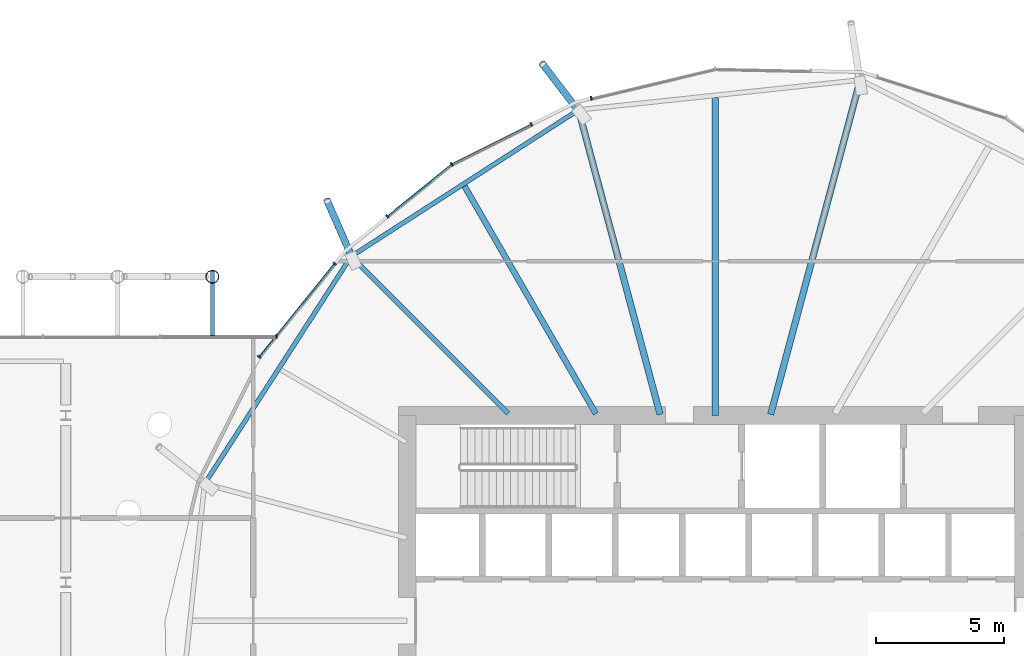
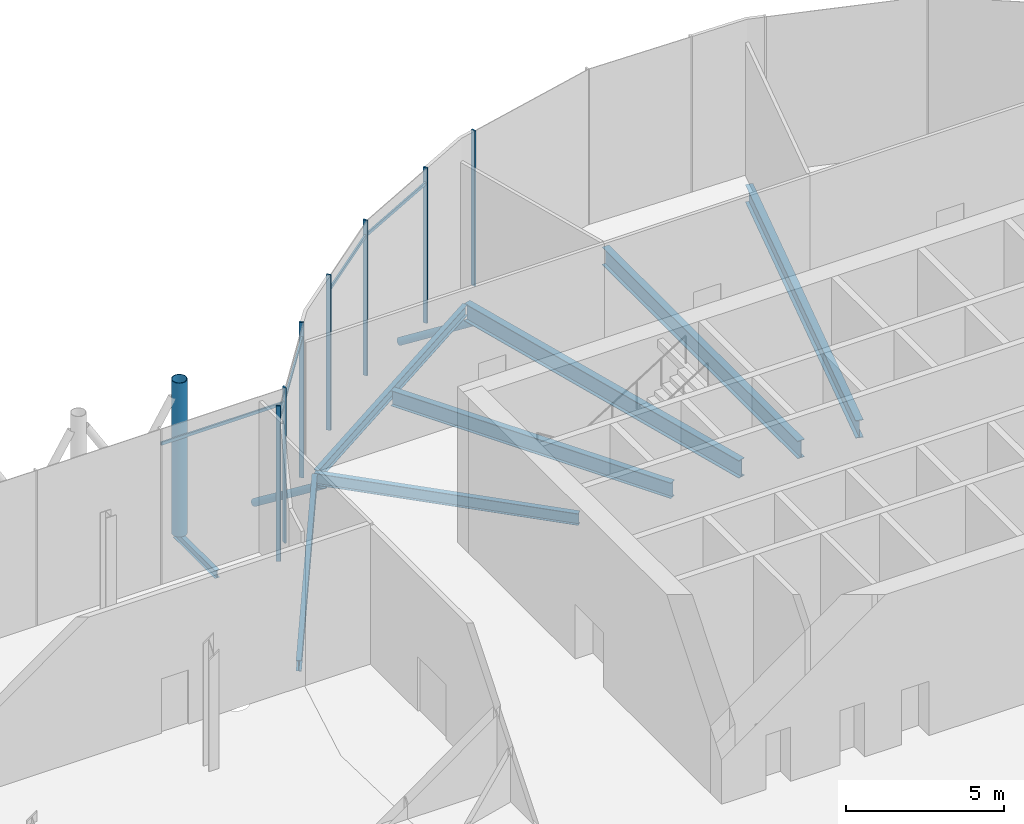
# One storey, part 14 of 38: 14 members, 8 beams, 2 elements without a shape of their own.
"""IFC4 building model written with IfcOpenShell, lengths in metres."""

from ifc_helpers import new_model, si_unit, direction, frame, origin, origin_2d, place, context, subcontext, project, spatial, rectangle, hollow_circle, i_section, extrude, clip, halfspace, material, material_profile, profile_set, type_object, element, aggregate, save


model = new_model("IFC4")

# Units and contexts
model_context = context("Model", 3, precision=1e-05, world=origin(), true_north=direction((0.0, 1.0)))
body_context = subcontext(model_context, "Body", "Model", "MODEL_VIEW")
ifc_project = project(units=[si_unit("LENGTHUNIT", "METRE"), si_unit("AREAUNIT", "SQUARE_METRE"), si_unit("VOLUMEUNIT", "CUBIC_METRE"), si_unit("PLANEANGLEUNIT", "RADIAN"), si_unit("MASSUNIT", "GRAM", prefix="KILO")], contexts=[model_context])

# Site, building, storey
site_placement = place(None, origin())
site = spatial("IfcSite", under=ifc_project, at=site_placement, CompositionType="ELEMENT")
building_placement = place(site_placement, origin())
building = spatial("IfcBuilding", under=site, at=building_placement, Name="Rimbun Link Towers", CompositionType="ELEMENT")
storey_placement = place(building_placement, frame((0.0, 0.0, 133.199951171875)))
storey = spatial("IfcBuildingStorey", under=building, at=storey_placement, Name="L32", CompositionType="ELEMENT", Elevation=133.199951171875)

# Curtain wall, members
ifc_material_1 = material(Name="Aluminium 6063-T6 and low-iron glass", Category="aluminium")
curtain_wall_type = type_object("IfcCurtainWallType", Name="CW5 full height lobby wall", PredefinedType="NOTDEFINED", material=ifc_material_1)
curtain_wall_1_placement = place(storey_placement, origin())
curtain_wall_1 = element("IfcCurtainWall", 1, at=curtain_wall_1_placement, inside=storey, type_object=curtain_wall_type, Name="CW5 L32 T2", PredefinedType="NOTDEFINED")
ifc_material_2 = material(Name="Aluminium 6063-T6", Category="aluminium")
ifc_material_profile_1 = material_profile(ifc_material_2, rectangle(XDim=0.14990234375, YDim=0.06005859375, at=origin_2d()), Name="MULLION 60X150")
ifc_profile_set_1 = profile_set([ifc_material_profile_1], Name="Aluminium 6063-T6")
member_type_1 = type_object("IfcMemberType", Name="CW5 mullion 60X150", PredefinedType="MULLION", material=ifc_profile_set_1)
member_1_placement = place(storey_placement, frame((26.91943359375, 20.35302734375, 0.0), z_axis=(0.0, 0.0, 1.0), x_axis=(-0.232587665973, 0.972575435448, 0.0)))
member_1 = element("IfcMember", 2, at=member_1_placement, type_object=member_type_1, Name="CW5 mullion", PredefinedType="MULLION", context=body_context, shape_type="SweptSolid", body=[
    extrude(rectangle(XDim=0.14990234375, YDim=0.06005859375, at=origin_2d()), origin(), (0.0, 0.0, 1.0), 6.0),
])
member_2_placement = place(storey_placement, frame((21.48193359375, 17.777587890625, 0.0), z_axis=(0.0, 0.0, 1.0), x_axis=(-0.542101516084, 0.840313004933, 0.0)))
member_2 = element("IfcMember", 3, at=member_2_placement, type_object=member_type_1, Name="CW5 mullion", PredefinedType="MULLION", context=body_context, shape_type="SweptSolid", body=[
    extrude(rectangle(XDim=0.14990234375, YDim=0.06005859375, at=origin_2d()), origin(), (0.0, 0.0, 1.0), 6.0),
])
member_3_placement = place(storey_placement, frame((24.5771484375, 19.33251953125, 0.0), z_axis=(0.0, 0.0, 1.0), x_axis=(-0.448781608432, 0.893641464981, 0.0)))
member_3 = element("IfcMember", 4, at=member_3_placement, type_object=member_type_1, Name="CW5 mullion", PredefinedType="MULLION", context=body_context, shape_type="SweptSolid", body=[
    extrude(rectangle(XDim=0.14990234375, YDim=0.06005859375, at=origin_2d()), origin(), (0.0, 0.0, 1.0), 6.0),
])
member_4_placement = place(storey_placement, frame((18.9697265625, 15.744873046875, 0.0), z_axis=(0.0, 0.0, 1.0), x_axis=(-0.629158779809, 0.777276803841, 0.0)))
member_4 = element("IfcMember", 5, at=member_4_placement, type_object=member_type_1, Name="CW5 mullion", PredefinedType="MULLION", context=body_context, shape_type="SweptSolid", body=[
    extrude(rectangle(XDim=0.14990234375, YDim=0.06005859375, at=origin_2d()), origin(), (0.0, 0.0, 1.0), 6.0),
])
member_5_placement = place(storey_placement, frame((13.97705078125, 10.274658203125, 0.0), z_axis=(0.0, 0.0, 1.0), x_axis=(-0.777276803841, 0.629158779809, 0.0)))
member_5 = element("IfcMember", 6, at=member_5_placement, type_object=member_type_1, Name="CW5 mullion", PredefinedType="MULLION", context=body_context, shape_type="SweptSolid", body=[
    extrude(rectangle(XDim=0.14990234375, YDim=0.06005859375, at=origin_2d()), origin(), (0.0, 0.0, 1.0), 6.0),
])
member_6_placement = place(storey_placement, frame((16.91748046875, 13.9072265625, 0.0), z_axis=(0.0, 0.0, 1.0), x_axis=(-0.777276803841, 0.629158779809, 0.0)))
member_6 = element("IfcMember", 7, at=member_6_placement, type_object=member_type_1, Name="CW5 mullion", PredefinedType="MULLION", context=body_context, shape_type="SweptSolid", body=[
    extrude(rectangle(XDim=0.14990234375, YDim=0.06005859375, at=origin_2d()), origin(), (0.0, 0.0, 1.0), 6.0),
])

# Curtain wall, member
curtain_wall_2_placement = place(storey_placement, origin())
curtain_wall_2 = element("IfcCurtainWall", 8, at=curtain_wall_2_placement, inside=storey, type_object=curtain_wall_type, Name="CW5 L32 LB", PredefinedType="NOTDEFINED")
member_7_placement = place(storey_placement, frame((14.66064453125, 11.074951171875, 0.0), z_axis=(0.0, 0.0, 1.0), x_axis=(0.0, 1.0, 0.0)))
member_7 = element("IfcMember", 9, at=member_7_placement, type_object=member_type_1, Name="CW5 mullion", PredefinedType="MULLION", context=body_context, shape_type="SweptSolid", body=[
    extrude(rectangle(XDim=0.14990234375, YDim=0.06005859375, at=origin_2d()), origin(), (0.0, 0.0, 1.0), 6.0),
])

# Member
ifc_material_3 = material(Name="Aluminium 6063-T6", Category="aluminium")
ifc_material_profile_2 = material_profile(ifc_material_3, rectangle(XDim=0.06005859375, YDim=0.1201171875, at=origin_2d()), Name="TRANSOM 60X120")
ifc_profile_set_2 = profile_set([ifc_material_profile_2], Name="Aluminium 6063-T6")
member_type_2 = type_object("IfcMemberType", Name="CW5 transom 60X120", PredefinedType="USERDEFINED", material=ifc_profile_set_2)
member_8_placement = place(storey_placement, frame((21.521484375, 17.783447265625, 5.400146484375), z_axis=(0.893649381643, 0.448765843943, 0.0), x_axis=(-0.448765843943, 0.893649381643, 0.0)))
member_8 = element("IfcMember", 10, at=member_8_placement, type_object=member_type_2, Name="CW5 transom", ObjectType="TRANSOM", PredefinedType="USERDEFINED", context=body_context, shape_type="SweptSolid", body=[
    extrude(rectangle(XDim=0.06005859375, YDim=0.1201171875, at=origin_2d()), origin(), (0.0, 0.0, 1.0), 3.395751953125),
])

member_9_placement = place(storey_placement, frame((19.001220703125, 15.753662109375, 5.400146484375), z_axis=(0.777302378381, 0.629127183138, 0.0), x_axis=(-0.629127183138, 0.777302378381, 0.0)))
member_9 = element("IfcMember", 11, at=member_9_placement, type_object=member_type_2, Name="CW5 transom", ObjectType="TRANSOM", PredefinedType="USERDEFINED", context=body_context, shape_type="SweptSolid", body=[
    extrude(rectangle(XDim=0.06005859375, YDim=0.1201171875, at=origin_2d()), origin(), (0.0, 0.0, 1.0), 3.16357421875),
])

member_10_placement = place(storey_placement, frame((14.006103515625, 10.289794921875, 5.400146484375), z_axis=(0.629157124744, 0.777278143514, 0.0), x_axis=(-0.777278143514, 0.629157124744, 0.0)))
member_10 = element("IfcMember", 12, at=member_10_placement, type_object=member_type_2, Name="CW5 transom", ObjectType="TRANSOM", PredefinedType="USERDEFINED", context=body_context, shape_type="SweptSolid", body=[
    extrude(rectangle(XDim=0.06005859375, YDim=0.1201171875, at=origin_2d()), origin(), (0.0, 0.0, 1.0), 4.613525390625),
])

aggregate(curtain_wall_1, [member_1, member_2, member_3, member_4, member_5, member_6, member_8, member_9, member_10])

member_11_placement = place(storey_placement, frame((10.142822265625, 11.06201171875, 5.400146484375), z_axis=(1.0, 0.0, 0.0), x_axis=(0.0, 1.0, 0.0)))
member_11 = element("IfcMember", 13, at=member_11_placement, type_object=member_type_2, Name="CW5 transom", ObjectType="TRANSOM", PredefinedType="USERDEFINED", context=body_context, shape_type="SweptSolid", body=[
    extrude(rectangle(XDim=0.06005859375, YDim=0.1201171875, at=origin_2d()), origin(), (0.0, 0.0, 1.0), 4.48779296875),
])

aggregate(curtain_wall_2, [member_7, member_11])

# Beam
ifc_material_4 = material(Name="Steel S355J2", Category="steel")
ifc_material_profile_3 = material_profile(ifc_material_4, i_section(OverallWidth=0.1650390625, OverallDepth=0.303466796875, WebThickness=0.006103515625, FlangeThickness=0.01025390625, at=origin_2d()), Name="UB 305x165x40")
ifc_profile_set_3 = profile_set([ifc_material_profile_3], Name="Steel S355J2")
beam_type_1 = type_object("IfcBeamType", Name="Capsule bracket beam UB 305x165x40", PredefinedType="BEAM", material=ifc_profile_set_3)
beam_1_placement = place(storey_placement, frame((12.16162109375, 11.0, -0.311767578125), z_axis=(0.0, 1.0, 0.0), x_axis=(-1.0, 0.0, 0.0)))
element("IfcBeam", 14, at=beam_1_placement, inside=storey, type_object=beam_type_1, Name="Link megaframe outrigger N6", PredefinedType="BEAM", context=body_context, shape_type="SweptSolid", body=[
    extrude(i_section(OverallWidth=0.1650390625, OverallDepth=0.303466796875, WebThickness=0.006103515625, FlangeThickness=0.01025390625, at=origin_2d()), origin(), (0.0, 0.0, 1.0), 2.654052734375),
])

# Members
ifc_material_5 = material(Name="Steel S355J2H", Category="steel")
ifc_material_profile_4 = material_profile(ifc_material_5, hollow_circle(Radius=0.136474609375, WallThickness=0.012451171875, at=origin_2d()), Name="CHS 273x12.5")
ifc_profile_set_4 = profile_set([ifc_material_profile_4], Name="Steel S355J2H")
member_type_3 = type_object("IfcMemberType", Name="Floor edge link CHS 273x12.5", PredefinedType="BRACE", material=ifc_profile_set_4)
member_12_placement = place(storey_placement, frame((26.432373046875, 19.845703125, -0.98193359375), z_axis=(-0.530527443977, 0.689360974892, -0.493276877101), x_axis=(-0.792485204349, -0.609891138555, 0.0)))
element("IfcMember", 15, at=member_12_placement, inside=storey, type_object=member_type_3, Name="Floor edge link T2 L32 04", PredefinedType="BRACE", context=body_context, shape_type="Clipping", body=[
    clip(extrude(hollow_circle(Radius=0.136474609375, WallThickness=0.012451171875, at=origin_2d()), frame((0.0, 0.0, -0.501708984375)), (0.0, 0.0, 1.0), 3.20849609375), halfspace(frame((0.0, 0.0, -0.236083984375), z_axis=(0.0, 0.8698723599, -0.493276877101)), False)),
])
member_13_placement = place(storey_placement, frame((17.597900390625, 14.152099609375, -0.746826171875), z_axis=(-0.333271025874, 0.762429387188, -0.554645700303), x_axis=(-0.916286077298, -0.400524436894, 0.0)))
element("IfcMember", 16, at=member_13_placement, inside=storey, type_object=member_type_3, Name="Floor edge link T2 L32 06", PredefinedType="BRACE", context=body_context, shape_type="Clipping", body=[
    clip(extrude(hollow_circle(Radius=0.136474609375, WallThickness=0.012451171875, at=origin_2d()), frame((0.0, 0.0, -0.427490234375)), (0.0, 0.0, 1.0), 3.35546875), halfspace(frame((0.0, 0.0, -0.200927734375), z_axis=(0.0, 0.832086622375, -0.554645700303)), False)),
])
ifc_material_6 = material(Name="Steel S355J2H", Category="steel")
ifc_material_profile_5 = material_profile(ifc_material_6, hollow_circle(Radius=0.25390625, WallThickness=0.02001953125, at=origin_2d()), Name="CHS 508x20")
ifc_profile_set_5 = profile_set([ifc_material_profile_5], Name="Steel S355J2H")
member_type_4 = type_object("IfcMemberType", Name="Link megaframe post CHS 508x20", PredefinedType="POST", material=ifc_profile_set_5)
member_14_placement = place(storey_placement, frame((12.16162109375, 13.39990234375, -0.159912109375), z_axis=(0.0, 0.0, 1.0), x_axis=(1.0, 0.0, 0.0)))
element("IfcMember", 17, at=member_14_placement, inside=storey, type_object=member_type_4, Name="Link megaframe post N6 bay 1", PredefinedType="POST", context=body_context, shape_type="SweptSolid", body=[
    extrude(hollow_circle(Radius=0.25390625, WallThickness=0.02001953125, at=origin_2d()), origin(), (0.0, 0.0, 1.0), 5.93994140625),
])

# Beams
ifc_material_7 = material(Name="Steel S355J2", Category="steel")
ifc_material_profile_6 = material_profile(ifc_material_7, i_section(OverallWidth=0.177978515625, OverallDepth=0.406494140625, WebThickness=0.0078125, FlangeThickness=0.0126953125, at=origin_2d()), Name="UB 406x178x60")
ifc_profile_set_6 = profile_set([ifc_material_profile_6], Name="Steel S355J2")
beam_type_2 = type_object("IfcBeamType", Name="UB 406x178x60", PredefinedType="BEAM", material=ifc_profile_set_6)
beam_2_placement = place(storey_placement, frame((26.306640625, 19.8212890625, -0.383056640625), z_axis=(-0.840631448215, -0.541607577747, 0.0), x_axis=(0.541607577747, -0.840631448215, 0.0)))
element("IfcBeam", 18, at=beam_2_placement, inside=storey, type_object=beam_type_2, Name="Edge beam T2 L32 04-06", PredefinedType="BEAM", context=body_context, shape_type="SweptSolid", body=[
    extrude(i_section(OverallWidth=0.177978515625, OverallDepth=0.406494140625, WebThickness=0.0078125, FlangeThickness=0.0126953125, at=origin_2d()), origin(), (0.0, 0.0, 1.0), 10.3037109375),
])
beam_3_placement = place(storey_placement, frame((17.50927734375, 14.10498046875, -0.383056640625), z_axis=(-0.541622715857, -0.84062169474, 0.0), x_axis=(0.84062169474, -0.541622715857, 0.0)))
element("IfcBeam", 19, at=beam_3_placement, inside=storey, type_object=beam_type_2, Name="Edge beam T2 L32 06-08", PredefinedType="BEAM", context=body_context, shape_type="SweptSolid", body=[
    extrude(i_section(OverallWidth=0.177978515625, OverallDepth=0.406494140625, WebThickness=0.0078125, FlangeThickness=0.0126953125, at=origin_2d()), origin(), (0.0, 0.0, 1.0), 10.337158203125),
])
ifc_material_8 = material(Name="Steel S355J2", Category="steel")
ifc_material_profile_7 = material_profile(ifc_material_8, i_section(OverallWidth=0.18994140625, OverallDepth=0.453369140625, WebThickness=0.008544921875, FlangeThickness=0.0126953125, at=origin_2d()), Name="UB 457x191x67")
ifc_profile_set_7 = profile_set([ifc_material_profile_7], Name="Steel S355J2")
beam_type_3 = type_object("IfcBeamType", Name="UB 457x191x67", PredefinedType="BEAM", material=ifc_profile_set_7)
beam_4_placement = place(storey_placement, frame((23.68212890625, 8.06787109375, -0.40673828125), z_axis=(-0.707106781187, 0.707106781187, 0.0), x_axis=(-0.707106781187, -0.707106781187, 0.0)))
element("IfcBeam", 20, at=beam_4_placement, inside=storey, type_object=beam_type_3, Name="Radial beam T2 L32 06", PredefinedType="BEAM", context=body_context, shape_type="SweptSolid", body=[
    extrude(i_section(OverallWidth=0.18994140625, OverallDepth=0.453369140625, WebThickness=0.008544921875, FlangeThickness=0.0126953125, at=origin_2d()), origin(), (0.0, 0.0, 1.0), 8.654541015625),
])
ifc_material_9 = material(Name="Steel S355J2", Category="steel")
ifc_material_profile_8 = material_profile(ifc_material_9, i_section(OverallWidth=0.2275390625, OverallDepth=0.6025390625, WebThickness=0.010498046875, FlangeThickness=0.014892578125, at=origin_2d()), Name="UB 610x229x101")
ifc_profile_set_8 = profile_set([ifc_material_profile_8], Name="Steel S355J2")
beam_type_4 = type_object("IfcBeamType", Name="UB 610x229x101", PredefinedType="BEAM", material=ifc_profile_set_8)
beam_5_placement = place(storey_placement, frame((27.097900390625, 8.057861328125, -0.481201171875), z_axis=(-0.500008646395, 0.866020411728, 0.0), x_axis=(-0.866020411728, -0.500008646395, 0.0)))
element("IfcBeam", 21, at=beam_5_placement, inside=storey, type_object=beam_type_4, Name="Radial beam T2 L32 05", PredefinedType="BEAM", context=body_context, shape_type="SweptSolid", body=[
    extrude(i_section(OverallWidth=0.2275390625, OverallDepth=0.6025390625, WebThickness=0.010498046875, FlangeThickness=0.014892578125, at=origin_2d()), origin(), (0.0, 0.0, 1.0), 10.239501953125),
])
ifc_material_10 = material(Name="Steel S355J2", Category="steel")
ifc_material_profile_9 = material_profile(ifc_material_10, i_section(OverallWidth=0.253662109375, OverallDepth=0.68359375, WebThickness=0.012451171875, FlangeThickness=0.01904296875, at=origin_2d()), Name="UB 686x254x140")
ifc_profile_set_9 = profile_set([ifc_material_profile_9], Name="Steel S355J2")
beam_type_5 = type_object("IfcBeamType", Name="UB 686x254x140", PredefinedType="BEAM", material=ifc_profile_set_9)
beam_6_placement = place(storey_placement, frame((33.902587890625, 8.03369140625, -0.521728515625), z_axis=(0.258817210165, 0.965926317957, 0.0), x_axis=(-0.965926317957, 0.258817210165, 0.0)))
element("IfcBeam", 22, at=beam_6_placement, inside=storey, type_object=beam_type_5, Name="Radial beam T2 L32 02", PredefinedType="BEAM", context=body_context, shape_type="SweptSolid", body=[
    extrude(i_section(OverallWidth=0.253662109375, OverallDepth=0.68359375, WebThickness=0.012451171875, FlangeThickness=0.01904296875, at=origin_2d()), origin(), (0.0, 0.0, 1.0), 13.488037109375),
])
beam_7_placement = place(storey_placement, frame((31.75, 8.0009765625, -0.521728515625), z_axis=(0.0, 1.0, 0.0), x_axis=(-1.0, 0.0, 0.0)))
element("IfcBeam", 23, at=beam_7_placement, inside=storey, type_object=beam_type_5, Name="Radial beam T2 L32 03", PredefinedType="BEAM", context=body_context, shape_type="SweptSolid", body=[
    extrude(i_section(OverallWidth=0.253662109375, OverallDepth=0.68359375, WebThickness=0.012451171875, FlangeThickness=0.01904296875, at=origin_2d()), origin(), (0.0, 0.0, 1.0), 12.3701171875),
])
beam_8_placement = place(storey_placement, frame((29.597412109375, 8.03369140625, -0.521728515625), z_axis=(-0.258819568836, 0.965925685955, 0.0), x_axis=(-0.965925685955, -0.258819568836, 0.0)))
element("IfcBeam", 24, at=beam_8_placement, inside=storey, type_object=beam_type_5, Name="Radial beam T2 L32 04", PredefinedType="BEAM", context=body_context, shape_type="SweptSolid", body=[
    extrude(i_section(OverallWidth=0.253662109375, OverallDepth=0.68359375, WebThickness=0.012451171875, FlangeThickness=0.01904296875, at=origin_2d()), origin(), (0.0, 0.0, 1.0), 12.27880859375),
])

save(model, "model.ifc")
